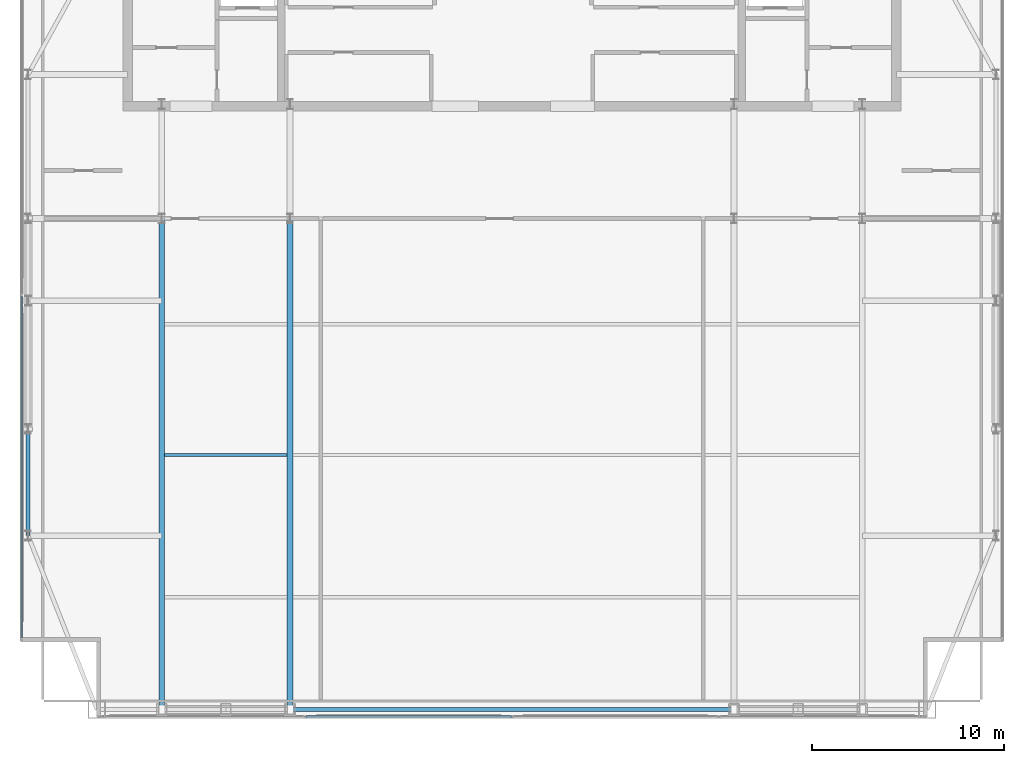
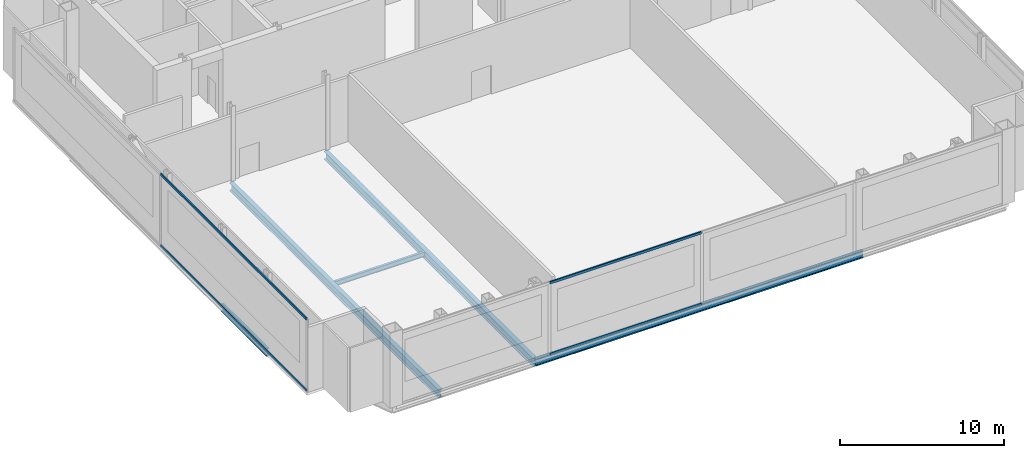
# One storey, part 5 of 22: 5 beams, 4 members, 2 elements without a shape of their own.
"""IFC4 building model written with IfcOpenShell, lengths in metres."""

from ifc_helpers import new_model, si_unit, direction, frame, origin, origin_2d, place, context, subcontext, project, spatial, hollow_rectangle, i_section, extrude, material, material_profile, profile_set, type_object, element, aggregate, save


model = new_model("IFC4")

# Units and contexts
model_context = context("Model", 3, precision=1e-05, world=origin(), true_north=direction((0.0, 1.0)))
body_context = subcontext(model_context, "Body", "Model", "MODEL_VIEW")
ifc_project = project(units=[si_unit("LENGTHUNIT", "METRE"), si_unit("AREAUNIT", "SQUARE_METRE"), si_unit("VOLUMEUNIT", "CUBIC_METRE"), si_unit("PLANEANGLEUNIT", "RADIAN"), si_unit("MASSUNIT", "GRAM", prefix="KILO")], contexts=[model_context])

# Site, building, storey
site_placement = place(None, origin())
site = spatial("IfcSite", under=ifc_project, at=site_placement, CompositionType="ELEMENT")
building_placement = place(site_placement, origin())
building = spatial("IfcBuilding", under=site, at=building_placement, Name="Khoronbel Lancet Exchange", CompositionType="ELEMENT")
storey_placement = place(building_placement, frame((0.0, 0.0, 367.39990234375)))
storey = spatial("IfcBuildingStorey", under=building, at=storey_placement, Name="L94", CompositionType="ELEMENT", Elevation=367.39990234375)

# Beams
ifc_material_1 = material(Name="Steel S355", Category="steel")
ifc_material_profile_1 = material_profile(ifc_material_1, i_section(OverallWidth=0.300048828125, OverallDepth=0.60009765625, WebThickness=0.015380859375, FlangeThickness=0.030029296875, at=origin_2d()), Name="HEB 600")
ifc_profile_set_1 = profile_set([ifc_material_profile_1], Name="Steel S355")
beam_type_1 = type_object("IfcBeamType", Name="BM-BG5", PredefinedType="BEAM", material=ifc_profile_set_1)
for number, where, z_axis, x_axis, name in (
    (1, (18.22509765625, 10.14990234375, -0.5), (0.0, 1.0, 0.0), (-1.0, 0.0, 0.0), "Level L94 south primary girder GS1"),
    (2, (24.89990234375, 10.14990234375, -0.5), (0.0, 1.0, 0.0), (-1.0, 0.0, 0.0), "Level L94 south primary girder GS2"),
):
    element("IfcBeam", number, at=place(storey_placement, frame(where, z_axis=z_axis, x_axis=x_axis)), inside=storey, type_object=beam_type_1, Name=name, PredefinedType="BEAM", context=body_context, shape_type="SweptSolid", body=[
        extrude(i_section(OverallWidth=0.300048828125, OverallDepth=0.60009765625, WebThickness=0.015380859375, FlangeThickness=0.030029296875, at=origin_2d()), origin(), (0.0, 0.0, 1.0), 25.550048828125),
    ])
ifc_material_profile_2 = material_profile(ifc_material_1, i_section(OverallWidth=0.169921875, OverallDepth=0.360107421875, WebThickness=0.008056640625, FlangeThickness=0.0126953125, at=origin_2d()), Name="IPE 360")
ifc_profile_set_2 = profile_set([ifc_material_profile_2], Name="Steel S355")
beam_type_2 = type_object("IfcBeamType", Name="BM-BJ6", PredefinedType="JOIST", material=ifc_profile_set_2)
beam_1_placement = place(storey_placement, frame((18.375, 23.39990234375, -0.3798828125), z_axis=(1.0, 0.0, 0.0), x_axis=(0.0, 1.0, 0.0)))
element("IfcBeam", 3, at=beam_1_placement, inside=storey, type_object=beam_type_2, Name="Level L94 secondary composite joist J04", PredefinedType="JOIST", context=body_context, shape_type="SweptSolid", body=[
    extrude(i_section(OverallWidth=0.169921875, OverallDepth=0.360107421875, WebThickness=0.008056640625, FlangeThickness=0.0126953125, at=origin_2d()), origin(), (0.0, 0.0, 1.0), 6.375),
])
ifc_material_profile_3 = material_profile(ifc_material_1, i_section(OverallWidth=0.2099609375, OverallDepth=0.550048828125, WebThickness=0.010986328125, FlangeThickness=0.01708984375, at=origin_2d()), Name="IPE 550")
ifc_profile_set_3 = profile_set([ifc_material_profile_3], Name="Steel S355")
beam_type_3 = type_object("IfcBeamType", Name="BM-BSP3", PredefinedType="SPANDREL", material=ifc_profile_set_3)
beam_2_placement = place(storey_placement, frame((24.89990234375, 10.14990234375, -0.474853515625), z_axis=(1.0, 0.0, 0.0), x_axis=(0.0, 1.0, 0.0)))
element("IfcBeam", 4, at=beam_2_placement, inside=storey, type_object=beam_type_3, Name="Level L94 perimeter spandrel beam SP04", PredefinedType="SPANDREL", context=body_context, shape_type="SweptSolid", body=[
    extrude(i_section(OverallWidth=0.2099609375, OverallDepth=0.550048828125, WebThickness=0.010986328125, FlangeThickness=0.01708984375, at=origin_2d()), origin(), (0.0, 0.0, 1.0), 23.10009765625),
])
beam_3_placement = place(storey_placement, frame((11.27001953125, 24.75, -0.474853515625), z_axis=(0.0, -1.0, 0.0), x_axis=(1.0, 0.0, 0.0)))
element("IfcBeam", 5, at=beam_3_placement, inside=storey, type_object=beam_type_3, Name="Level L94 perimeter spandrel beam SP18", PredefinedType="SPANDREL", context=body_context, shape_type="SweptSolid", body=[
    extrude(i_section(OverallWidth=0.2099609375, OverallDepth=0.550048828125, WebThickness=0.010986328125, FlangeThickness=0.01708984375, at=origin_2d()), origin(), (0.0, 0.0, 1.0), 5.550048828125),
])

# Curtain wall, members
ifc_material_2 = material(Name="Low-E Solar Control Insulating Glass", Category="glass")
curtain_wall_type = type_object("IfcCurtainWallType", Name="CW-6", PredefinedType="NOTDEFINED", material=ifc_material_2)
curtain_wall_1_placement = place(storey_placement, origin())
curtain_wall_1 = element("IfcCurtainWall", 6, at=curtain_wall_1_placement, inside=storey, type_object=curtain_wall_type, Name="Unitised curtain wall CW-L94-E03", PredefinedType="NOTDEFINED")
ifc_material_3 = material(Name="Bronze-Anodised Aluminium 6063-T6", Category="aluminium")
ifc_material_profile_4 = material_profile(ifc_material_3, hollow_rectangle(XDim=0.0849609375, YDim=0.179931640625, WallThickness=0.0048828125, at=origin_2d()), Name="ALU TRANSOM 85x180")
ifc_profile_set_4 = profile_set([ifc_material_profile_4], Name="Bronze-Anodised Aluminium 6063-T6")
member_type = type_object("IfcMemberType", Name="MEM-CWT1", PredefinedType="USERDEFINED", material=ifc_profile_set_4)
member_1_placement = place(storey_placement, frame((10.93994140625, 13.864990234375, 0.04248046875), z_axis=(0.0, 1.0, 0.0), x_axis=(-1.0, 0.0, 0.0)))
member_1 = element("IfcMember", 7, at=member_1_placement, type_object=member_type, Name="CW6 transom 1.1", ObjectType="TRANSOM", PredefinedType="USERDEFINED", context=body_context, shape_type="SweptSolid", body=[
    extrude(hollow_rectangle(XDim=0.0849609375, YDim=0.179931640625, WallThickness=0.0048828125, at=origin_2d()), origin(), (0.0, 0.0, 1.0), 17.797607421875),
])
member_2_placement = place(storey_placement, frame((10.93994140625, 13.864990234375, 5.357666015625), z_axis=(0.0, 1.0, 0.0), x_axis=(-1.0, 0.0, 0.0)))
member_2 = element("IfcMember", 8, at=member_2_placement, type_object=member_type, Name="CW6 transom 1.2", ObjectType="TRANSOM", PredefinedType="USERDEFINED", context=body_context, shape_type="SweptSolid", body=[
    extrude(hollow_rectangle(XDim=0.0849609375, YDim=0.179931640625, WallThickness=0.0048828125, at=origin_2d()), origin(), (0.0, 0.0, 1.0), 17.797607421875),
])
aggregate(curtain_wall_1, [member_1, member_2])

curtain_wall_2_placement = place(storey_placement, origin())
curtain_wall_2 = element("IfcCurtainWall", 9, at=curtain_wall_2_placement, inside=storey, type_object=curtain_wall_type, Name="Unitised curtain wall CW-L94-E12", PredefinedType="NOTDEFINED")
member_3_placement = place(storey_placement, frame((36.41259765625, 9.7900390625, 0.04248046875), z_axis=(-1.0, 0.0, 0.0), x_axis=(0.0, -1.0, 0.0)))
member_3 = element("IfcMember", 10, at=member_3_placement, type_object=member_type, Name="CW6 transom 3.1", ObjectType="TRANSOM", PredefinedType="USERDEFINED", context=body_context, shape_type="SweptSolid", body=[
    extrude(hollow_rectangle(XDim=0.0849609375, YDim=0.179931640625, WallThickness=0.0048828125, at=origin_2d()), origin(), (0.0, 0.0, 1.0), 10.68017578125),
])
member_4_placement = place(storey_placement, frame((36.41259765625, 9.7900390625, 5.357666015625), z_axis=(-1.0, 0.0, 0.0), x_axis=(0.0, -1.0, 0.0)))
member_4 = element("IfcMember", 11, at=member_4_placement, type_object=member_type, Name="CW6 transom 3.2", ObjectType="TRANSOM", PredefinedType="USERDEFINED", context=body_context, shape_type="SweptSolid", body=[
    extrude(hollow_rectangle(XDim=0.0849609375, YDim=0.179931640625, WallThickness=0.0048828125, at=origin_2d()), origin(), (0.0, 0.0, 1.0), 10.68017578125),
])
aggregate(curtain_wall_2, [member_3, member_4])

save(model, "model.ifc")
